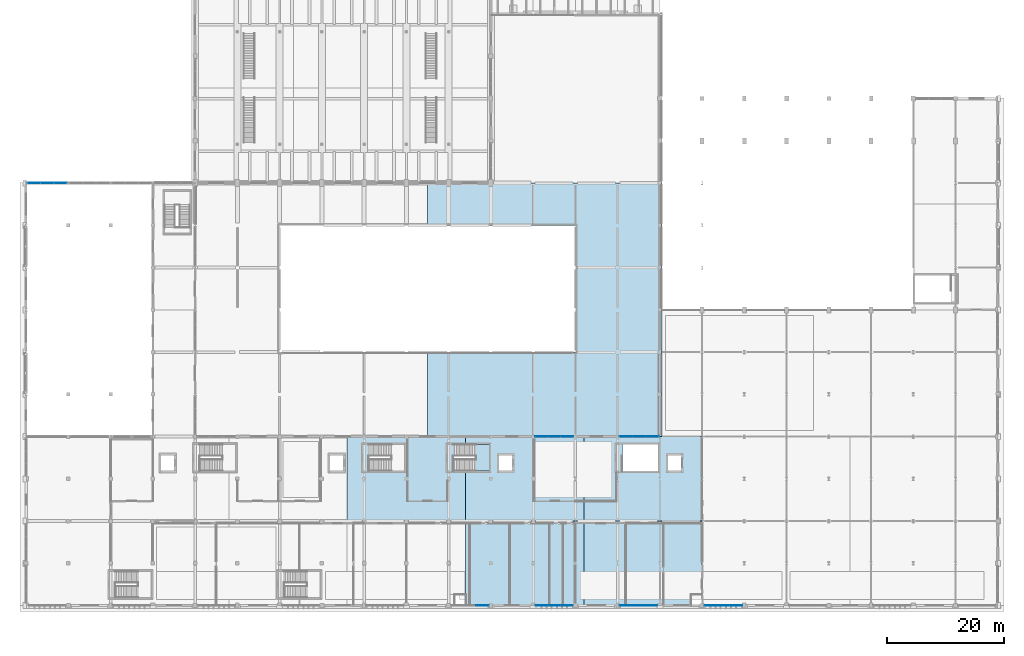
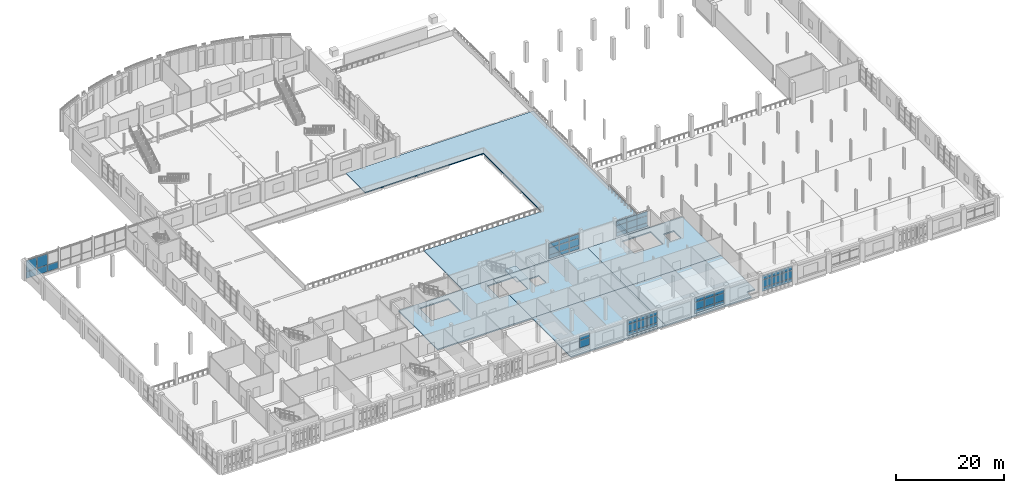
# One storey, part 47 of 82: 52 plates, 7 slabs, 8 elements without a shape of their own.
"""IFC4 building model written with IfcOpenShell, lengths in metres."""

from ifc_helpers import new_model, si_unit, direction, frame, origin, origin_2d, place, context, subcontext, project, spatial, polyline, rectangle, outline, extrude, material, layer, layer_set, type_object, element, aggregate, save


model = new_model("IFC4")

# Units and contexts
model_context = context("Model", 3, precision=1e-05, world=origin(), true_north=direction((0.0, 1.0)))
body_context = subcontext(model_context, "Body", "Model", "MODEL_VIEW")
ifc_project = project(units=[si_unit("LENGTHUNIT", "METRE"), si_unit("AREAUNIT", "SQUARE_METRE"), si_unit("VOLUMEUNIT", "CUBIC_METRE"), si_unit("PLANEANGLEUNIT", "RADIAN"), si_unit("MASSUNIT", "GRAM", prefix="KILO")], contexts=[model_context])

# Site, building, storey
site_placement = place(None, origin())
site = spatial("IfcSite", under=ifc_project, at=site_placement, CompositionType="ELEMENT")
building_placement = place(site_placement, origin())
building = spatial("IfcBuilding", under=site, at=building_placement, Name="Sardonyx Promenade Sports Hall", CompositionType="ELEMENT")
storey_placement = place(building_placement, frame((0.0, 0.0, 11.199951171875)))
storey = spatial("IfcBuildingStorey", under=building, at=storey_placement, Name="L02", CompositionType="ELEMENT", Elevation=11.199951171875)

# Curtain wall, plates
ifc_material_1 = material(Name="Aluminium 6063-T6", Category="aluminium")
curtain_wall_type_1 = type_object("IfcCurtainWallType", Name="CW_South_L02_640", PredefinedType="USERDEFINED", material=ifc_material_1)
curtain_wall_1_placement = place(storey_placement, origin())
curtain_wall_1 = element("IfcCurtainWall", 1, at=curtain_wall_1_placement, inside=storey, type_object=curtain_wall_type_1, Name="Curtain wall CW01 cw:L02:032", ObjectType="CURTAIN WALL", PredefinedType="USERDEFINED")
ifc_material_2 = material(Name="Double-glazed solar low-E IGU 28 mm", Category="glass")
ifc_layer_1 = layer(ifc_material_2, 0.028076171875)
ifc_layer_set_1 = layer_set([ifc_layer_1], Name="CW_Pan_Glz_28")
plate_type_1 = type_object("IfcPlateType", Name="CW_Pan_Glz_28", PredefinedType="CURTAIN_PANEL", material=ifc_layer_set_1)
plate_1_placement = place(storey_placement, frame((120.973388671875, 0.0, 0.4150390625), z_axis=(0.0, 0.0, 1.0), x_axis=(-1.0, 0.0, 0.0)))
plate_1 = element("IfcPlate", 2, at=plate_1_placement, type_object=plate_type_1, Name="Curtain panel CP01 cw:L02:032 #1", PredefinedType="CURTAIN_PANEL", context=body_context, shape_type="SweptSolid", body=[
    extrude(rectangle(XDim=2.083251953125, YDim=0.028076171875, at=origin_2d()), origin(), (0.0, 0.0, 1.0), 0.802490234375),
])
plate_2_placement = place(storey_placement, frame((120.973388671875, 0.0, 1.282470703125), z_axis=(0.0, 0.0, 1.0), x_axis=(-1.0, 0.0, 0.0)))
plate_2 = element("IfcPlate", 3, at=plate_2_placement, type_object=plate_type_1, Name="Curtain panel CP01 cw:L02:032 #2", PredefinedType="CURTAIN_PANEL", context=body_context, shape_type="SweptSolid", body=[
    extrude(rectangle(XDim=2.083251953125, YDim=0.028076171875, at=origin_2d()), origin(), (0.0, 0.0, 1.0), 1.68505859375),
])
plate_3_placement = place(storey_placement, frame((120.973388671875, 0.0, 3.03271484375), z_axis=(0.0, 0.0, 1.0), x_axis=(-1.0, 0.0, 0.0)))
plate_3 = element("IfcPlate", 4, at=plate_3_placement, type_object=plate_type_1, Name="Curtain panel CP01 cw:L02:032 #3", PredefinedType="CURTAIN_PANEL", context=body_context, shape_type="SweptSolid", body=[
    extrude(rectangle(XDim=2.083251953125, YDim=0.028076171875, at=origin_2d()), origin(), (0.0, 0.0, 1.0), 0.952392578125),
])
plate_4_placement = place(storey_placement, frame((118.824951171875, 0.0, 0.4150390625), z_axis=(0.0, 0.0, 1.0), x_axis=(-1.0, 0.0, 0.0)))
plate_4 = element("IfcPlate", 5, at=plate_4_placement, type_object=plate_type_1, Name="Curtain panel CP01 cw:L02:032 #4", PredefinedType="CURTAIN_PANEL", context=body_context, shape_type="SweptSolid", body=[
    extrude(rectangle(XDim=2.083251953125, YDim=0.028076171875, at=origin_2d()), origin(), (0.0, 0.0, 1.0), 0.802490234375),
])
plate_5_placement = place(storey_placement, frame((118.824951171875, 0.0, 1.282470703125), z_axis=(0.0, 0.0, 1.0), x_axis=(-1.0, 0.0, 0.0)))
plate_5 = element("IfcPlate", 6, at=plate_5_placement, type_object=plate_type_1, Name="Curtain panel CP01 cw:L02:032 #5", PredefinedType="CURTAIN_PANEL", context=body_context, shape_type="SweptSolid", body=[
    extrude(rectangle(XDim=2.083251953125, YDim=0.028076171875, at=origin_2d()), origin(), (0.0, 0.0, 1.0), 1.68505859375),
])
plate_6_placement = place(storey_placement, frame((118.824951171875, 0.0, 3.03271484375), z_axis=(0.0, 0.0, 1.0), x_axis=(-1.0, 0.0, 0.0)))
plate_6 = element("IfcPlate", 7, at=plate_6_placement, type_object=plate_type_1, Name="Curtain panel CP01 cw:L02:032 #6", PredefinedType="CURTAIN_PANEL", context=body_context, shape_type="SweptSolid", body=[
    extrude(rectangle(XDim=2.083251953125, YDim=0.028076171875, at=origin_2d()), origin(), (0.0, 0.0, 1.0), 0.952392578125),
])
plate_7_placement = place(storey_placement, frame((116.6767578125, 0.0, 0.4150390625), z_axis=(0.0, 0.0, 1.0), x_axis=(-1.0, 0.0, 0.0)))
plate_7 = element("IfcPlate", 8, at=plate_7_placement, type_object=plate_type_1, Name="Curtain panel CP01 cw:L02:032 #7", PredefinedType="CURTAIN_PANEL", context=body_context, shape_type="SweptSolid", body=[
    extrude(rectangle(XDim=2.083251953125, YDim=0.028076171875, at=origin_2d()), origin(), (0.0, 0.0, 1.0), 0.802490234375),
])
plate_8_placement = place(storey_placement, frame((116.6767578125, 0.0, 1.282470703125), z_axis=(0.0, 0.0, 1.0), x_axis=(-1.0, 0.0, 0.0)))
plate_8 = element("IfcPlate", 9, at=plate_8_placement, type_object=plate_type_1, Name="Curtain panel CP01 cw:L02:032 #8", PredefinedType="CURTAIN_PANEL", context=body_context, shape_type="SweptSolid", body=[
    extrude(rectangle(XDim=2.083251953125, YDim=0.028076171875, at=origin_2d()), origin(), (0.0, 0.0, 1.0), 1.68505859375),
])
plate_9_placement = place(storey_placement, frame((116.6767578125, 0.0, 3.03271484375), z_axis=(0.0, 0.0, 1.0), x_axis=(-1.0, 0.0, 0.0)))
plate_9 = element("IfcPlate", 10, at=plate_9_placement, type_object=plate_type_1, Name="Curtain panel CP01 cw:L02:032 #9", PredefinedType="CURTAIN_PANEL", context=body_context, shape_type="SweptSolid", body=[
    extrude(rectangle(XDim=2.083251953125, YDim=0.028076171875, at=origin_2d()), origin(), (0.0, 0.0, 1.0), 0.952392578125),
])
aggregate(curtain_wall_1, [plate_1, plate_2, plate_3, plate_4, plate_5, plate_6, plate_7, plate_8, plate_9])

curtain_wall_2_placement = place(storey_placement, origin())
curtain_wall_2 = element("IfcCurtainWall", 11, at=curtain_wall_2_placement, inside=storey, type_object=curtain_wall_type_1, Name="Curtain wall CW01 cw:L02:033", ObjectType="CURTAIN WALL", PredefinedType="USERDEFINED")
plate_10_placement = place(storey_placement, frame((106.481689453125, 0.0, 0.4150390625), z_axis=(0.0, 0.0, 1.0), x_axis=(-1.0, 0.0, 0.0)))
plate_10 = element("IfcPlate", 12, at=plate_10_placement, type_object=plate_type_1, Name="Curtain panel CP01 cw:L02:033 #1", PredefinedType="CURTAIN_PANEL", context=body_context, shape_type="SweptSolid", body=[
    extrude(rectangle(XDim=2.066650390625, YDim=0.028076171875, at=origin_2d()), origin(), (0.0, 0.0, 1.0), 0.802490234375),
])
plate_11_placement = place(storey_placement, frame((106.481689453125, 0.0, 1.282470703125), z_axis=(0.0, 0.0, 1.0), x_axis=(-1.0, 0.0, 0.0)))
plate_11 = element("IfcPlate", 13, at=plate_11_placement, type_object=plate_type_1, Name="Curtain panel CP01 cw:L02:033 #2", PredefinedType="CURTAIN_PANEL", context=body_context, shape_type="SweptSolid", body=[
    extrude(rectangle(XDim=2.066650390625, YDim=0.028076171875, at=origin_2d()), origin(), (0.0, 0.0, 1.0), 1.68505859375),
])
plate_12_placement = place(storey_placement, frame((106.481689453125, 0.0, 3.03271484375), z_axis=(0.0, 0.0, 1.0), x_axis=(-1.0, 0.0, 0.0)))
plate_12 = element("IfcPlate", 14, at=plate_12_placement, type_object=plate_type_1, Name="Curtain panel CP01 cw:L02:033 #3", PredefinedType="CURTAIN_PANEL", context=body_context, shape_type="SweptSolid", body=[
    extrude(rectangle(XDim=2.066650390625, YDim=0.028076171875, at=origin_2d()), origin(), (0.0, 0.0, 1.0), 0.952392578125),
])
plate_13_placement = place(storey_placement, frame((104.35009765625, 0.0, 0.4150390625), z_axis=(0.0, 0.0, 1.0), x_axis=(-1.0, 0.0, 0.0)))
plate_13 = element("IfcPlate", 15, at=plate_13_placement, type_object=plate_type_1, Name="Curtain panel CP01 cw:L02:033 #4", PredefinedType="CURTAIN_PANEL", context=body_context, shape_type="SweptSolid", body=[
    extrude(rectangle(XDim=2.066650390625, YDim=0.028076171875, at=origin_2d()), origin(), (0.0, 0.0, 1.0), 0.802490234375),
])
plate_14_placement = place(storey_placement, frame((104.35009765625, 0.0, 1.282470703125), z_axis=(0.0, 0.0, 1.0), x_axis=(-1.0, 0.0, 0.0)))
plate_14 = element("IfcPlate", 16, at=plate_14_placement, type_object=plate_type_1, Name="Curtain panel CP01 cw:L02:033 #5", PredefinedType="CURTAIN_PANEL", context=body_context, shape_type="SweptSolid", body=[
    extrude(rectangle(XDim=2.066650390625, YDim=0.028076171875, at=origin_2d()), origin(), (0.0, 0.0, 1.0), 1.68505859375),
])
plate_15_placement = place(storey_placement, frame((104.35009765625, 0.0, 3.03271484375), z_axis=(0.0, 0.0, 1.0), x_axis=(-1.0, 0.0, 0.0)))
plate_15 = element("IfcPlate", 17, at=plate_15_placement, type_object=plate_type_1, Name="Curtain panel CP01 cw:L02:033 #6", PredefinedType="CURTAIN_PANEL", context=body_context, shape_type="SweptSolid", body=[
    extrude(rectangle(XDim=2.066650390625, YDim=0.028076171875, at=origin_2d()), origin(), (0.0, 0.0, 1.0), 0.952392578125),
])
plate_16_placement = place(storey_placement, frame((102.21826171875, 0.0, 0.4150390625), z_axis=(0.0, 0.0, 1.0), x_axis=(-1.0, 0.0, 0.0)))
plate_16 = element("IfcPlate", 18, at=plate_16_placement, type_object=plate_type_1, Name="Curtain panel CP01 cw:L02:033 #7", PredefinedType="CURTAIN_PANEL", context=body_context, shape_type="SweptSolid", body=[
    extrude(rectangle(XDim=2.066650390625, YDim=0.028076171875, at=origin_2d()), origin(), (0.0, 0.0, 1.0), 0.802490234375),
])
plate_17_placement = place(storey_placement, frame((102.21826171875, 0.0, 1.282470703125), z_axis=(0.0, 0.0, 1.0), x_axis=(-1.0, 0.0, 0.0)))
plate_17 = element("IfcPlate", 19, at=plate_17_placement, type_object=plate_type_1, Name="Curtain panel CP01 cw:L02:033 #8", PredefinedType="CURTAIN_PANEL", context=body_context, shape_type="SweptSolid", body=[
    extrude(rectangle(XDim=2.066650390625, YDim=0.028076171875, at=origin_2d()), origin(), (0.0, 0.0, 1.0), 1.68505859375),
])
plate_18_placement = place(storey_placement, frame((102.21826171875, 0.0, 3.03271484375), z_axis=(0.0, 0.0, 1.0), x_axis=(-1.0, 0.0, 0.0)))
plate_18 = element("IfcPlate", 20, at=plate_18_placement, type_object=plate_type_1, Name="Curtain panel CP01 cw:L02:033 #9", PredefinedType="CURTAIN_PANEL", context=body_context, shape_type="SweptSolid", body=[
    extrude(rectangle(XDim=2.066650390625, YDim=0.028076171875, at=origin_2d()), origin(), (0.0, 0.0, 1.0), 0.952392578125),
])
aggregate(curtain_wall_2, [plate_10, plate_11, plate_12, plate_13, plate_14, plate_15, plate_16, plate_17, plate_18])

curtain_wall_3_placement = place(storey_placement, origin())
curtain_wall_3 = element("IfcCurtainWall", 21, at=curtain_wall_3_placement, inside=storey, type_object=curtain_wall_type_1, Name="Curtain wall CW01 cw:L02:034", ObjectType="CURTAIN WALL", PredefinedType="USERDEFINED")
plate_19_placement = place(storey_placement, frame((92.139892578125, 0.0, 0.4150390625), z_axis=(0.0, 0.0, 1.0), x_axis=(-1.0, 0.0, 0.0)))
plate_19 = element("IfcPlate", 22, at=plate_19_placement, type_object=plate_type_1, Name="Curtain panel CP01 cw:L02:034 #1", PredefinedType="CURTAIN_PANEL", context=body_context, shape_type="SweptSolid", body=[
    extrude(rectangle(XDim=2.050048828125, YDim=0.028076171875, at=origin_2d()), origin(), (0.0, 0.0, 1.0), 0.802490234375),
])
plate_20_placement = place(storey_placement, frame((92.139892578125, 0.0, 1.282470703125), z_axis=(0.0, 0.0, 1.0), x_axis=(-1.0, 0.0, 0.0)))
plate_20 = element("IfcPlate", 23, at=plate_20_placement, type_object=plate_type_1, Name="Curtain panel CP01 cw:L02:034 #2", PredefinedType="CURTAIN_PANEL", context=body_context, shape_type="SweptSolid", body=[
    extrude(rectangle(XDim=2.050048828125, YDim=0.028076171875, at=origin_2d()), origin(), (0.0, 0.0, 1.0), 1.68505859375),
])
plate_21_placement = place(storey_placement, frame((92.139892578125, 0.0, 3.03271484375), z_axis=(0.0, 0.0, 1.0), x_axis=(-1.0, 0.0, 0.0)))
plate_21 = element("IfcPlate", 24, at=plate_21_placement, type_object=plate_type_1, Name="Curtain panel CP01 cw:L02:034 #3", PredefinedType="CURTAIN_PANEL", context=body_context, shape_type="SweptSolid", body=[
    extrude(rectangle(XDim=2.050048828125, YDim=0.028076171875, at=origin_2d()), origin(), (0.0, 0.0, 1.0), 0.952392578125),
])
plate_22_placement = place(storey_placement, frame((90.02490234375, 0.0, 0.4150390625), z_axis=(0.0, 0.0, 1.0), x_axis=(-1.0, 0.0, 0.0)))
plate_22 = element("IfcPlate", 25, at=plate_22_placement, type_object=plate_type_1, Name="Curtain panel CP01 cw:L02:034 #4", PredefinedType="CURTAIN_PANEL", context=body_context, shape_type="SweptSolid", body=[
    extrude(rectangle(XDim=2.050048828125, YDim=0.028076171875, at=origin_2d()), origin(), (0.0, 0.0, 1.0), 0.802490234375),
])
plate_23_placement = place(storey_placement, frame((90.02490234375, 0.0, 1.282470703125), z_axis=(0.0, 0.0, 1.0), x_axis=(-1.0, 0.0, 0.0)))
plate_23 = element("IfcPlate", 26, at=plate_23_placement, type_object=plate_type_1, Name="Curtain panel CP01 cw:L02:034 #5", PredefinedType="CURTAIN_PANEL", context=body_context, shape_type="SweptSolid", body=[
    extrude(rectangle(XDim=2.050048828125, YDim=0.028076171875, at=origin_2d()), origin(), (0.0, 0.0, 1.0), 1.68505859375),
])
plate_24_placement = place(storey_placement, frame((90.02490234375, 0.0, 3.03271484375), z_axis=(0.0, 0.0, 1.0), x_axis=(-1.0, 0.0, 0.0)))
plate_24 = element("IfcPlate", 27, at=plate_24_placement, type_object=plate_type_1, Name="Curtain panel CP01 cw:L02:034 #6", PredefinedType="CURTAIN_PANEL", context=body_context, shape_type="SweptSolid", body=[
    extrude(rectangle(XDim=2.050048828125, YDim=0.028076171875, at=origin_2d()), origin(), (0.0, 0.0, 1.0), 0.952392578125),
])
plate_25_placement = place(storey_placement, frame((87.909912109375, 0.0, 0.4150390625), z_axis=(0.0, 0.0, 1.0), x_axis=(-1.0, 0.0, 0.0)))
plate_25 = element("IfcPlate", 28, at=plate_25_placement, type_object=plate_type_1, Name="Curtain panel CP01 cw:L02:034 #7", PredefinedType="CURTAIN_PANEL", context=body_context, shape_type="SweptSolid", body=[
    extrude(rectangle(XDim=2.050048828125, YDim=0.028076171875, at=origin_2d()), origin(), (0.0, 0.0, 1.0), 0.802490234375),
])
plate_26_placement = place(storey_placement, frame((87.909912109375, 0.0, 1.282470703125), z_axis=(0.0, 0.0, 1.0), x_axis=(-1.0, 0.0, 0.0)))
plate_26 = element("IfcPlate", 29, at=plate_26_placement, type_object=plate_type_1, Name="Curtain panel CP01 cw:L02:034 #8", PredefinedType="CURTAIN_PANEL", context=body_context, shape_type="SweptSolid", body=[
    extrude(rectangle(XDim=2.050048828125, YDim=0.028076171875, at=origin_2d()), origin(), (0.0, 0.0, 1.0), 1.68505859375),
])
plate_27_placement = place(storey_placement, frame((87.909912109375, 0.0, 3.03271484375), z_axis=(0.0, 0.0, 1.0), x_axis=(-1.0, 0.0, 0.0)))
plate_27 = element("IfcPlate", 30, at=plate_27_placement, type_object=plate_type_1, Name="Curtain panel CP01 cw:L02:034 #9", PredefinedType="CURTAIN_PANEL", context=body_context, shape_type="SweptSolid", body=[
    extrude(rectangle(XDim=2.050048828125, YDim=0.028076171875, at=origin_2d()), origin(), (0.0, 0.0, 1.0), 0.952392578125),
])
aggregate(curtain_wall_3, [plate_19, plate_20, plate_21, plate_22, plate_23, plate_24, plate_25, plate_26, plate_27])

curtain_wall_4_placement = place(storey_placement, origin())
curtain_wall_4 = element("IfcCurtainWall", 31, at=curtain_wall_4_placement, inside=storey, type_object=curtain_wall_type_1, Name="Curtain wall CW01 cw:L02:035", ObjectType="CURTAIN WALL", PredefinedType="USERDEFINED")
plate_28_placement = place(storey_placement, frame((77.7734375, 0.0, 1.282470703125), z_axis=(0.0, 0.0, 1.0), x_axis=(-1.0, 0.0, 0.0)))
plate_28 = element("IfcPlate", 32, at=plate_28_placement, type_object=plate_type_1, Name="Curtain panel CP01 cw:L02:035 #2", PredefinedType="CURTAIN_PANEL", context=body_context, shape_type="SweptSolid", body=[
    extrude(rectangle(XDim=2.083251953125, YDim=0.028076171875, at=origin_2d()), origin(), (0.0, 0.0, 1.0), 1.68505859375),
])
plate_29_placement = place(storey_placement, frame((77.7734375, 0.0, 3.03271484375), z_axis=(0.0, 0.0, 1.0), x_axis=(-1.0, 0.0, 0.0)))
plate_29 = element("IfcPlate", 33, at=plate_29_placement, type_object=plate_type_1, Name="Curtain panel CP01 cw:L02:035 #3", PredefinedType="CURTAIN_PANEL", context=body_context, shape_type="SweptSolid", body=[
    extrude(rectangle(XDim=2.083251953125, YDim=0.028076171875, at=origin_2d()), origin(), (0.0, 0.0, 1.0), 0.952392578125),
])
aggregate(curtain_wall_4, [plate_28, plate_29])

ifc_material_3 = material(Name="Aluminium 6063-T6", Category="aluminium")
curtain_wall_type_2 = type_object("IfcCurtainWallType", Name="CW_Climb_Clerestory", PredefinedType="USERDEFINED", material=ifc_material_3)
curtain_wall_5_placement = place(storey_placement, origin())
curtain_wall_5 = element("IfcCurtainWall", 34, at=curtain_wall_5_placement, inside=storey, type_object=curtain_wall_type_2, Name="Curtain wall CW12 cw:L02:076", ObjectType="CURTAIN WALL", PredefinedType="USERDEFINED")
ifc_material_4 = material(Name="Laminated safety sports IGU 36 mm", Category="glass")
ifc_layer_2 = layer(ifc_material_4, 0.035888671875)
ifc_layer_set_2 = layer_set([ifc_layer_2], Name="CW_Pan_Glz_36")
plate_type_2 = type_object("IfcPlateType", Name="CW_Pan_Glz_36", PredefinedType="CURTAIN_PANEL", material=ifc_layer_set_2)
plate_30_placement = place(storey_placement, frame((1.3349609375, 72.0, 0.065185546875), z_axis=(0.0, 0.0, 1.0), x_axis=(1.0, 0.0, 0.0)))
plate_30 = element("IfcPlate", 35, at=plate_30_placement, type_object=plate_type_2, Name="Curtain panel CP03 cw:L02:076 #1", PredefinedType="CURTAIN_PANEL", context=body_context, shape_type="SweptSolid", body=[
    extrude(rectangle(XDim=2.199951171875, YDim=0.035888671875, at=origin_2d()), origin(), (0.0, 0.0, 1.0), 1.50244140625),
])
plate_31_placement = place(storey_placement, frame((1.3349609375, 72.0, 1.632568359375), z_axis=(0.0, 0.0, 1.0), x_axis=(1.0, 0.0, 0.0)))
plate_31 = element("IfcPlate", 36, at=plate_31_placement, type_object=plate_type_2, Name="Curtain panel CP03 cw:L02:076 #2", PredefinedType="CURTAIN_PANEL", context=body_context, shape_type="SweptSolid", body=[
    extrude(rectangle(XDim=2.199951171875, YDim=0.035888671875, at=origin_2d()), origin(), (0.0, 0.0, 1.0), 2.50244140625),
])
plate_32_placement = place(storey_placement, frame((3.60009765625, 72.0, 0.065185546875), z_axis=(0.0, 0.0, 1.0), x_axis=(1.0, 0.0, 0.0)))
plate_32 = element("IfcPlate", 37, at=plate_32_placement, type_object=plate_type_2, Name="Curtain panel CP03 cw:L02:076 #3", PredefinedType="CURTAIN_PANEL", context=body_context, shape_type="SweptSolid", body=[
    extrude(rectangle(XDim=2.199951171875, YDim=0.035888671875, at=origin_2d()), origin(), (0.0, 0.0, 1.0), 1.50244140625),
])
plate_33_placement = place(storey_placement, frame((3.60009765625, 72.0, 1.632568359375), z_axis=(0.0, 0.0, 1.0), x_axis=(1.0, 0.0, 0.0)))
plate_33 = element("IfcPlate", 38, at=plate_33_placement, type_object=plate_type_2, Name="Curtain panel CP03 cw:L02:076 #4", PredefinedType="CURTAIN_PANEL", context=body_context, shape_type="SweptSolid", body=[
    extrude(rectangle(XDim=2.199951171875, YDim=0.035888671875, at=origin_2d()), origin(), (0.0, 0.0, 1.0), 2.50244140625),
])
plate_34_placement = place(storey_placement, frame((5.864990234375, 72.0, 0.065185546875), z_axis=(0.0, 0.0, 1.0), x_axis=(1.0, 0.0, 0.0)))
plate_34 = element("IfcPlate", 39, at=plate_34_placement, type_object=plate_type_2, Name="Curtain panel CP03 cw:L02:076 #5", PredefinedType="CURTAIN_PANEL", context=body_context, shape_type="SweptSolid", body=[
    extrude(rectangle(XDim=2.199951171875, YDim=0.035888671875, at=origin_2d()), origin(), (0.0, 0.0, 1.0), 1.50244140625),
])
aggregate(curtain_wall_5, [plate_30, plate_31, plate_32, plate_33, plate_34])

ifc_material_5 = material(Name="Aluminium 6063-T6", Category="aluminium")
curtain_wall_type_3 = type_object("IfcCurtainWallType", Name="CW_EastWing_L02", PredefinedType="USERDEFINED", material=ifc_material_5)
curtain_wall_6_placement = place(storey_placement, origin())
curtain_wall_6 = element("IfcCurtainWall", 40, at=curtain_wall_6_placement, inside=storey, type_object=curtain_wall_type_3, Name="Curtain wall CW09 cw:L02:159", ObjectType="CURTAIN WALL", PredefinedType="USERDEFINED")
ifc_material_6 = material(Name="Insulated aluminium spandrel panel 50 mm", Category="aluminium")
ifc_layer_3 = layer(ifc_material_6, 0.050048828125)
ifc_layer_set_3 = layer_set([ifc_layer_3], Name="CW_Pan_Spn_50")
plate_type_3 = type_object("IfcPlateType", Name="CW_Pan_Spn_50", PredefinedType="CURTAIN_PANEL", material=ifc_layer_set_3)
plate_35_placement = place(storey_placement, frame((87.833251953125, 28.800048828125, 0.409912109375), z_axis=(0.0, 0.0, 1.0), x_axis=(1.0, 0.0, 0.0)))
plate_35 = element("IfcPlate", 41, at=plate_35_placement, type_object=plate_type_3, Name="Curtain panel CP05 cw:L02:159 #1", PredefinedType="CURTAIN_PANEL", context=body_context, shape_type="SweptSolid", body=[
    extrude(rectangle(XDim=2.106689453125, YDim=0.050048828125, at=origin_2d()), origin(), (0.0, 0.0, 1.0), 0.81005859375),
])
plate_36_placement = place(storey_placement, frame((87.833251953125, 28.800048828125, 1.280029296875), z_axis=(0.0, 0.0, 1.0), x_axis=(1.0, 0.0, 0.0)))
plate_36 = element("IfcPlate", 42, at=plate_36_placement, type_object=plate_type_3, Name="Curtain panel CP05 cw:L02:159 #2", PredefinedType="CURTAIN_PANEL", context=body_context, shape_type="SweptSolid", body=[
    extrude(rectangle(XDim=2.106689453125, YDim=0.050048828125, at=origin_2d()), origin(), (0.0, 0.0, 1.0), 1.5400390625),
])
plate_37_placement = place(storey_placement, frame((87.833251953125, 28.800048828125, 2.880126953125), z_axis=(0.0, 0.0, 1.0), x_axis=(1.0, 0.0, 0.0)))
plate_37 = element("IfcPlate", 43, at=plate_37_placement, type_object=plate_type_3, Name="Curtain panel CP05 cw:L02:159 #3", PredefinedType="CURTAIN_PANEL", context=body_context, shape_type="SweptSolid", body=[
    extrude(rectangle(XDim=2.106689453125, YDim=0.050048828125, at=origin_2d()), origin(), (0.0, 0.0, 1.0), 0.9599609375),
])
plate_38_placement = place(storey_placement, frame((90.0, 28.800048828125, 0.409912109375), z_axis=(0.0, 0.0, 1.0), x_axis=(1.0, 0.0, 0.0)))
plate_38 = element("IfcPlate", 44, at=plate_38_placement, type_object=plate_type_3, Name="Curtain panel CP05 cw:L02:159 #4", PredefinedType="CURTAIN_PANEL", context=body_context, shape_type="SweptSolid", body=[
    extrude(rectangle(XDim=2.106689453125, YDim=0.050048828125, at=origin_2d()), origin(), (0.0, 0.0, 1.0), 0.81005859375),
])
plate_39_placement = place(storey_placement, frame((90.0, 28.800048828125, 1.280029296875), z_axis=(0.0, 0.0, 1.0), x_axis=(1.0, 0.0, 0.0)))
plate_39 = element("IfcPlate", 45, at=plate_39_placement, type_object=plate_type_3, Name="Curtain panel CP05 cw:L02:159 #5", PredefinedType="CURTAIN_PANEL", context=body_context, shape_type="SweptSolid", body=[
    extrude(rectangle(XDim=2.106689453125, YDim=0.050048828125, at=origin_2d()), origin(), (0.0, 0.0, 1.0), 1.5400390625),
])
plate_40_placement = place(storey_placement, frame((90.0, 28.800048828125, 2.880126953125), z_axis=(0.0, 0.0, 1.0), x_axis=(1.0, 0.0, 0.0)))
plate_40 = element("IfcPlate", 46, at=plate_40_placement, type_object=plate_type_3, Name="Curtain panel CP05 cw:L02:159 #6", PredefinedType="CURTAIN_PANEL", context=body_context, shape_type="SweptSolid", body=[
    extrude(rectangle(XDim=2.106689453125, YDim=0.050048828125, at=origin_2d()), origin(), (0.0, 0.0, 1.0), 0.9599609375),
])
plate_41_placement = place(storey_placement, frame((92.166748046875, 28.800048828125, 0.409912109375), z_axis=(0.0, 0.0, 1.0), x_axis=(1.0, 0.0, 0.0)))
plate_41 = element("IfcPlate", 47, at=plate_41_placement, type_object=plate_type_3, Name="Curtain panel CP05 cw:L02:159 #7", PredefinedType="CURTAIN_PANEL", context=body_context, shape_type="SweptSolid", body=[
    extrude(rectangle(XDim=2.106689453125, YDim=0.050048828125, at=origin_2d()), origin(), (0.0, 0.0, 1.0), 0.81005859375),
])
plate_42_placement = place(storey_placement, frame((92.166748046875, 28.800048828125, 1.280029296875), z_axis=(0.0, 0.0, 1.0), x_axis=(1.0, 0.0, 0.0)))
plate_42 = element("IfcPlate", 48, at=plate_42_placement, type_object=plate_type_3, Name="Curtain panel CP05 cw:L02:159 #8", PredefinedType="CURTAIN_PANEL", context=body_context, shape_type="SweptSolid", body=[
    extrude(rectangle(XDim=2.106689453125, YDim=0.050048828125, at=origin_2d()), origin(), (0.0, 0.0, 1.0), 1.5400390625),
])
plate_43_placement = place(storey_placement, frame((92.166748046875, 28.800048828125, 2.880126953125), z_axis=(0.0, 0.0, 1.0), x_axis=(1.0, 0.0, 0.0)))
plate_43 = element("IfcPlate", 49, at=plate_43_placement, type_object=plate_type_3, Name="Curtain panel CP05 cw:L02:159 #9", PredefinedType="CURTAIN_PANEL", context=body_context, shape_type="SweptSolid", body=[
    extrude(rectangle(XDim=2.106689453125, YDim=0.050048828125, at=origin_2d()), origin(), (0.0, 0.0, 1.0), 0.9599609375),
])
aggregate(curtain_wall_6, [plate_35, plate_36, plate_37, plate_38, plate_39, plate_40, plate_41, plate_42, plate_43])

curtain_wall_7_placement = place(storey_placement, origin())
curtain_wall_7 = element("IfcCurtainWall", 50, at=curtain_wall_7_placement, inside=storey, type_object=curtain_wall_type_3, Name="Curtain wall CW09 cw:L02:160", ObjectType="CURTAIN WALL", PredefinedType="USERDEFINED")
plate_44_placement = place(storey_placement, frame((102.25830078125, 28.800048828125, 0.409912109375), z_axis=(0.0, 0.0, 1.0), x_axis=(1.0, 0.0, 0.0)))
plate_44 = element("IfcPlate", 51, at=plate_44_placement, type_object=plate_type_3, Name="Curtain panel CP05 cw:L02:160 #1", PredefinedType="CURTAIN_PANEL", context=body_context, shape_type="SweptSolid", body=[
    extrude(rectangle(XDim=2.15673828125, YDim=0.050048828125, at=origin_2d()), origin(), (0.0, 0.0, 1.0), 0.81005859375),
])
plate_45_placement = place(storey_placement, frame((102.25830078125, 28.800048828125, 1.280029296875), z_axis=(0.0, 0.0, 1.0), x_axis=(1.0, 0.0, 0.0)))
plate_45 = element("IfcPlate", 52, at=plate_45_placement, type_object=plate_type_3, Name="Curtain panel CP05 cw:L02:160 #2", PredefinedType="CURTAIN_PANEL", context=body_context, shape_type="SweptSolid", body=[
    extrude(rectangle(XDim=2.15673828125, YDim=0.050048828125, at=origin_2d()), origin(), (0.0, 0.0, 1.0), 1.5400390625),
])
plate_46_placement = place(storey_placement, frame((102.25830078125, 28.800048828125, 2.880126953125), z_axis=(0.0, 0.0, 1.0), x_axis=(1.0, 0.0, 0.0)))
plate_46 = element("IfcPlate", 53, at=plate_46_placement, type_object=plate_type_3, Name="Curtain panel CP05 cw:L02:160 #3", PredefinedType="CURTAIN_PANEL", context=body_context, shape_type="SweptSolid", body=[
    extrude(rectangle(XDim=2.15673828125, YDim=0.050048828125, at=origin_2d()), origin(), (0.0, 0.0, 1.0), 0.9599609375),
])
plate_47_placement = place(storey_placement, frame((104.47509765625, 28.800048828125, 0.409912109375), z_axis=(0.0, 0.0, 1.0), x_axis=(1.0, 0.0, 0.0)))
plate_47 = element("IfcPlate", 54, at=plate_47_placement, type_object=plate_type_3, Name="Curtain panel CP05 cw:L02:160 #4", PredefinedType="CURTAIN_PANEL", context=body_context, shape_type="SweptSolid", body=[
    extrude(rectangle(XDim=2.15673828125, YDim=0.050048828125, at=origin_2d()), origin(), (0.0, 0.0, 1.0), 0.81005859375),
])
plate_48_placement = place(storey_placement, frame((104.47509765625, 28.800048828125, 1.280029296875), z_axis=(0.0, 0.0, 1.0), x_axis=(1.0, 0.0, 0.0)))
plate_48 = element("IfcPlate", 55, at=plate_48_placement, type_object=plate_type_3, Name="Curtain panel CP05 cw:L02:160 #5", PredefinedType="CURTAIN_PANEL", context=body_context, shape_type="SweptSolid", body=[
    extrude(rectangle(XDim=2.15673828125, YDim=0.050048828125, at=origin_2d()), origin(), (0.0, 0.0, 1.0), 1.5400390625),
])
plate_49_placement = place(storey_placement, frame((104.47509765625, 28.800048828125, 2.880126953125), z_axis=(0.0, 0.0, 1.0), x_axis=(1.0, 0.0, 0.0)))
plate_49 = element("IfcPlate", 56, at=plate_49_placement, type_object=plate_type_3, Name="Curtain panel CP05 cw:L02:160 #6", PredefinedType="CURTAIN_PANEL", context=body_context, shape_type="SweptSolid", body=[
    extrude(rectangle(XDim=2.15673828125, YDim=0.050048828125, at=origin_2d()), origin(), (0.0, 0.0, 1.0), 0.9599609375),
])
plate_50_placement = place(storey_placement, frame((106.691650390625, 28.800048828125, 0.409912109375), z_axis=(0.0, 0.0, 1.0), x_axis=(1.0, 0.0, 0.0)))
plate_50 = element("IfcPlate", 57, at=plate_50_placement, type_object=plate_type_3, Name="Curtain panel CP05 cw:L02:160 #7", PredefinedType="CURTAIN_PANEL", context=body_context, shape_type="SweptSolid", body=[
    extrude(rectangle(XDim=2.15673828125, YDim=0.050048828125, at=origin_2d()), origin(), (0.0, 0.0, 1.0), 0.81005859375),
])
plate_51_placement = place(storey_placement, frame((106.691650390625, 28.800048828125, 1.280029296875), z_axis=(0.0, 0.0, 1.0), x_axis=(1.0, 0.0, 0.0)))
plate_51 = element("IfcPlate", 58, at=plate_51_placement, type_object=plate_type_3, Name="Curtain panel CP05 cw:L02:160 #8", PredefinedType="CURTAIN_PANEL", context=body_context, shape_type="SweptSolid", body=[
    extrude(rectangle(XDim=2.15673828125, YDim=0.050048828125, at=origin_2d()), origin(), (0.0, 0.0, 1.0), 1.5400390625),
])
plate_52_placement = place(storey_placement, frame((106.691650390625, 28.800048828125, 2.880126953125), z_axis=(0.0, 0.0, 1.0), x_axis=(1.0, 0.0, 0.0)))
plate_52 = element("IfcPlate", 59, at=plate_52_placement, type_object=plate_type_3, Name="Curtain panel CP05 cw:L02:160 #9", PredefinedType="CURTAIN_PANEL", context=body_context, shape_type="SweptSolid", body=[
    extrude(rectangle(XDim=2.15673828125, YDim=0.050048828125, at=origin_2d()), origin(), (0.0, 0.0, 1.0), 0.9599609375),
])
aggregate(curtain_wall_7, [plate_44, plate_45, plate_46, plate_47, plate_48, plate_49, plate_50, plate_51, plate_52])

# Stair, slab
ifc_material_7 = material(Name="Concrete C40/50", Category="concrete")
stair_type = type_object("IfcStairType", Name="Stair_Esc_Mid_480", PredefinedType="HALF_TURN_STAIR", material=ifc_material_7)
stair_placement = place(storey_placement, origin())
stair = element("IfcStair", 60, at=stair_placement, inside=storey, type_object=stair_type, Name="Protected escape stair ST4 (L02 to L03)", PredefinedType="HALF_TURN_STAIR")
ifc_material_8 = material(Name="Concrete C40/50", Category="concrete")
ifc_layer_4 = layer(ifc_material_8, 0.239990234375)
ifc_layer_set_4 = layer_set([ifc_layer_4], Name="Land_Stair_240")
slab_type_1 = type_object("IfcSlabType", Name="Land_Stair_240", PredefinedType="LANDING", material=ifc_layer_set_4)
slab_1_placement = place(storey_placement, frame((0.0, 0.0, 2.16015625)))
slab_1 = element("IfcSlab", 61, at=slab_1_placement, type_object=slab_type_1, Name="Stair half-landing ST4 L02", PredefinedType="LANDING", context=body_context, shape_type="SweptSolid", body=[
    extrude(outline(polyline([(76.610107421875, 22.925048828125), (78.949951171875, 22.925048828125), (78.949951171875, 27.47509765625), (76.610107421875, 27.47509765625), (76.610107421875, 22.925048828125)])), origin(), (0.0, 0.0, 1.0), 0.239990234375),
])
aggregate(stair, [slab_1])

# Slabs
ifc_material_9 = material(Name="Concrete C40/50", Category="concrete")
ifc_layer_5 = layer(ifc_material_9, 0.239990234375)
ifc_layer_set_5 = layer_set([ifc_layer_5], Name="Slab_Ext_Garden_240")
slab_type_2 = type_object("IfcSlabType", Name="Slab_Ext_Garden_240", PredefinedType="ROOF", material=ifc_layer_set_5)
slab_2_placement = place(storey_placement, frame((0.0, 0.0, -0.239990234375)))
element("IfcSlab", 62, at=slab_2_placement, inside=storey, type_object=slab_type_2, Name="Riwaq planted roof garden east L02", PredefinedType="ROOF", context=body_context, shape_type="SweptSolid", body=[
    extrude(outline(polyline([(68.39990234375, 28.800048828125), (108.35009765625, 28.800048828125), (108.35009765625, 72.0), (68.39990234375, 72.0), (68.39990234375, 64.800048828125), (93.60009765625, 64.800048828125), (93.60009765625, 43.199951171875), (68.39990234375, 43.199951171875), (68.39990234375, 28.800048828125)])), origin(), (0.0, 0.0, 1.0), 0.239990234375),
])
ifc_material_10 = material(Name="Concrete C40/50", Category="concrete")
ifc_layer_6 = layer(ifc_material_10, 0.27001953125)
ifc_layer_set_6 = layer_set([ifc_layer_6], Name="Slab_Floor_Studio_250")
slab_type_3 = type_object("IfcSlabType", Name="Slab_Floor_Studio_250", PredefinedType="FLOOR", material=ifc_layer_set_6)
slab_3_placement = place(storey_placement, frame((0.0, 0.0, -0.27001953125)))
element("IfcSlab", 63, at=slab_3_placement, inside=storey, type_object=slab_type_3, Name="Slab FS03 L02 #169", PredefinedType="FLOOR", context=body_context, shape_type="SweptSolid", body=[
    extrude(outline(polyline([(74.8798828125, 14.39990234375), (74.8798828125, 22.925048828125), (72.81005859375, 22.925048828125), (72.81005859375, 27.47509765625), (74.8798828125, 27.47509765625), (74.8798828125, 28.800048828125), (54.719970703125, 28.800048828125), (54.719970703125, 14.39990234375), (74.8798828125, 14.39990234375)]), holes=[polyline([(64.550048828125, 27.47509765625), (64.550048828125, 22.925048828125), (58.409912109375, 22.925048828125), (58.409912109375, 27.47509765625), (64.550048828125, 27.47509765625)])]), origin(), (0.0, 0.0, 1.0), 0.27001953125),
])
slab_4_placement = place(storey_placement, frame((0.0, 0.0, -0.27001953125)))
element("IfcSlab", 64, at=slab_4_placement, inside=storey, type_object=slab_type_3, Name="Slab FS03 L02 #170", PredefinedType="FLOOR", context=body_context, shape_type="SweptSolid", body=[
    extrude(outline(polyline([(74.8798828125, 0.0), (95.0400390625, 0.0), (95.0400390625, 14.39990234375), (74.8798828125, 14.39990234375), (74.8798828125, 0.0)])), origin(), (0.0, 0.0, 1.0), 0.27001953125),
])
slab_5_placement = place(storey_placement, frame((0.0, 0.0, -0.27001953125)))
element("IfcSlab", 65, at=slab_5_placement, inside=storey, type_object=slab_type_3, Name="Slab FS03 L02 #171", PredefinedType="FLOOR", context=body_context, shape_type="SweptSolid", body=[
    extrude(outline(polyline([(74.8798828125, 28.800048828125), (74.8798828125, 27.47509765625), (78.949951171875, 27.47509765625), (78.949951171875, 22.925048828125), (74.8798828125, 22.925048828125), (74.8798828125, 14.39990234375), (95.0400390625, 14.39990234375), (95.0400390625, 28.800048828125), (74.8798828125, 28.800048828125)]), holes=[polyline([(80.590087890625, 25.610107421875), (82.81005859375, 25.610107421875), (82.81005859375, 22.989990234375), (80.590087890625, 22.989990234375), (80.590087890625, 25.610107421875)])]), origin(), (0.0, 0.0, 1.0), 0.27001953125),
])
slab_6_placement = place(storey_placement, frame((0.0, 0.0, -0.27001953125)))
element("IfcSlab", 66, at=slab_6_placement, inside=storey, type_object=slab_type_3, Name="Slab FS03 L02 #172", PredefinedType="FLOOR", context=body_context, shape_type="SweptSolid", body=[
    extrude(outline(polyline([(95.0400390625, 0.0), (113.39990234375, 0.0), (113.39990234375, 1.800048828125), (115.199951171875, 1.800048828125), (115.199951171875, 14.39990234375), (95.0400390625, 14.39990234375), (95.0400390625, 0.0)])), origin(), (0.0, 0.0, 1.0), 0.27001953125),
])
slab_7_placement = place(storey_placement, frame((0.0, 0.0, -0.27001953125)))
element("IfcSlab", 67, at=slab_7_placement, inside=storey, type_object=slab_type_3, Name="Slab FS03 L02 #173", PredefinedType="FLOOR", context=body_context, shape_type="SweptSolid", body=[
    extrude(outline(polyline([(95.0400390625, 28.800048828125), (95.0400390625, 14.39990234375), (115.199951171875, 14.39990234375), (115.199951171875, 28.800048828125), (95.0400390625, 28.800048828125)]), holes=[polyline([(111.610107421875, 25.610107421875), (111.610107421875, 22.989990234375), (109.389892578125, 22.989990234375), (109.389892578125, 25.610107421875), (111.610107421875, 25.610107421875)]), polyline([(107.75, 27.47509765625), (107.75, 22.925048828125), (101.610107421875, 22.925048828125), (101.610107421875, 27.47509765625), (107.75, 27.47509765625)])]), origin(), (0.0, 0.0, 1.0), 0.27001953125),
])

save(model, "model.ifc")
